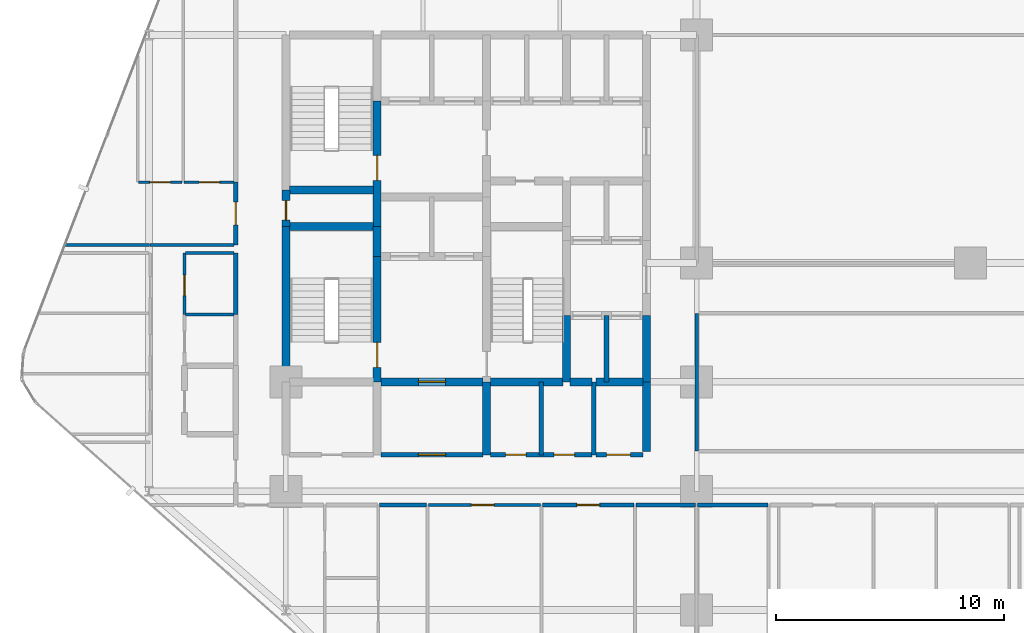
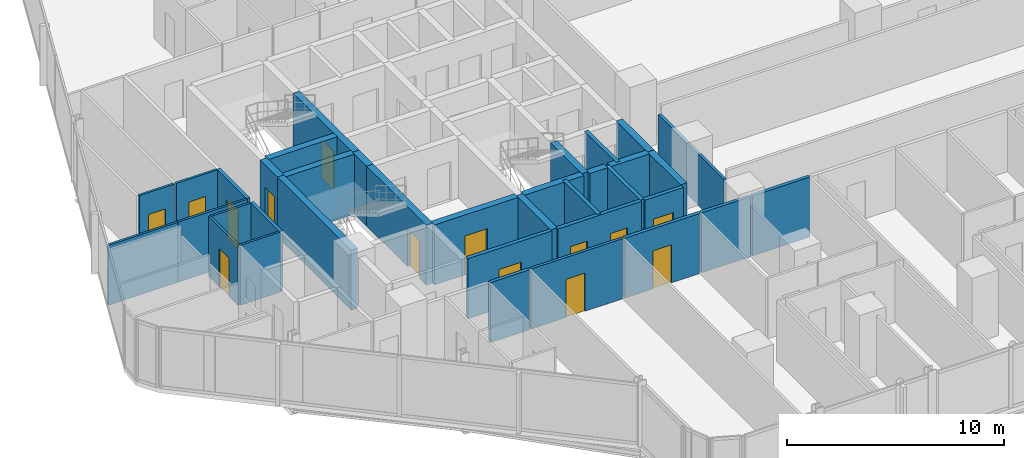
# One storey, part 27 of 34: 36 walls, 14 doors, 14 openings.
"""IFC4 building model written with IfcOpenShell, lengths in metres."""

from ifc_helpers import new_model, si_unit, direction, frame, frame_2d, origin, place, context, subcontext, project, spatial, rectangle, extrude, material, layer, layer_set, type_object, element, fill, save


model = new_model("IFC4")

# Units and contexts
model_context = context("Model", 3, precision=1e-05, world=origin(), true_north=direction((0.0, 1.0)))
body_context = subcontext(model_context, "Body", "Model", "MODEL_VIEW")
ifc_project = project(units=[si_unit("LENGTHUNIT", "METRE"), si_unit("AREAUNIT", "SQUARE_METRE"), si_unit("VOLUMEUNIT", "CUBIC_METRE"), si_unit("PLANEANGLEUNIT", "RADIAN"), si_unit("MASSUNIT", "GRAM", prefix="KILO")], contexts=[model_context])

# Site, building, storey
site_placement = place(None, origin())
site = spatial("IfcSite", under=ifc_project, at=site_placement, CompositionType="ELEMENT")
building_placement = place(site_placement, origin())
building = spatial("IfcBuilding", under=site, at=building_placement, Name="Keshet Zoharim Tower", CompositionType="ELEMENT")
storey_placement = place(building_placement, frame((0.0, 0.0, 38.800048828125)))
storey = spatial("IfcBuildingStorey", under=building, at=storey_placement, Name="L08", CompositionType="ELEMENT", Elevation=38.800048828125)

# Wall
ifc_material_1 = material(Name="Gypsum Plasterboard", Category="gypsum")
ifc_layer_1 = layer(ifc_material_1, 0.14990234375)
ifc_layer_set_1 = layer_set([ifc_layer_1], Name="Gypsum Plasterboard")
wall_type_1 = type_object("IfcWallType", Name="WL-CLIN-150", PredefinedType="STANDARD", material=ifc_layer_set_1)
wall_1_placement = place(storey_placement, frame((33.0, 19.659912109375, 0.0), z_axis=(0.0, 0.0, 1.0), x_axis=(0.0, 1.0, 0.0)))
element("IfcWall", 1, at=wall_1_placement, inside=storey, type_object=wall_type_1, Name="L08 Interior Wall 070", PredefinedType="STANDARD", context=body_context, shape_type="SweptSolid", body=[
    extrude(rectangle(XDim=6.030029296875, YDim=0.14990234375, at=frame_2d((3.01513671875, 0.0))), origin(), (0.0, 0.0, 1.0), 2.885009765625),
])

# Wall, opening, door
wall_2_placement = place(storey_placement, frame((21.2451171875, 17.300048828125, 0.0), z_axis=(0.0, 0.0, 1.0), x_axis=(1.0, 0.0, 0.0)))
wall_2 = element("IfcWall", 2, at=wall_2_placement, inside=storey, type_object=wall_type_1, Name="L08 Interior Wall 144", PredefinedType="STANDARD", context=body_context, shape_type="SweptSolid", body=[
    extrude(rectangle(XDim=4.909912109375, YDim=0.14990234375, at=frame_2d((2.455078125, 0.0))), origin(), (0.0, 0.0, 1.0), 3.385009765625),
])
opening_1_placement = place(wall_2_placement, frame((1.884033203125, 0.0, 0.0)))
opening_1 = element("IfcOpeningElement", 3, at=opening_1_placement, cuts=wall_2, Name="Opening D-F310", PredefinedType="OPENING", context=body_context, shape_type="SweptSolid", body=[
    extrude(rectangle(XDim=1.0, YDim=2.14990234375, at=frame_2d((0.5, 1.074951171875))), frame((0.0, 0.0849609375, 0.0), z_axis=(0.0, -1.0, 0.0), x_axis=(1.0, 0.0, 0.0)), (0.0, 0.0, 1.0), 0.169921875),
])
ifc_material_2 = material(Name="Hardwood Timber", Category="wood")
door_type_1 = type_object("IfcDoorType", Name="DR-FD30-100", OperationType="NOTDEFINED", PredefinedType="DOOR", material=ifc_material_2)
door_1_placement = place(opening_1_placement, origin())
door_1 = element("IfcDoor", 4, at=door_1_placement, inside=storey, type_object=door_type_1, Name="L08 Residents Co-Working Office Door", OperationType="SINGLE_SWING_RIGHT", OverallHeight=2.14990234375, OverallWidth=1.0, PredefinedType="DOOR", context=body_context, shape_type="SweptSolid", body=[
    extrude(rectangle(XDim=1.0, YDim=2.14990234375, at=frame_2d((0.5, 1.074951171875))), frame((0.0, 0.02490234375, 0.0), z_axis=(0.0, -1.0, 0.0), x_axis=(1.0, 0.0, 0.0)), (0.0, 0.0, 1.0), 0.050048828125),
])
fill(opening_1, door_1)

# Wall
ifc_material_3 = material(Name="Concrete C60/75", Category="concrete")
ifc_layer_2 = layer(ifc_material_3, 0.35009765625)
ifc_layer_set_2 = layer_set([ifc_layer_2], Name="Concrete C60/75")
wall_type_2 = type_object("IfcWallType", Name="WL-CORE-350", PredefinedType="SHEAR", material=ifc_layer_set_2)
wall_3_placement = place(storey_placement, frame((15.0, 22.699951171875, 0.0), z_axis=(0.0, 0.0, 1.0), x_axis=(0.0, 1.0, 0.0)))
element("IfcWall", 5, at=wall_3_placement, inside=storey, type_object=wall_type_2, Name="L08 Core Shear Wall 014", PredefinedType="SHEAR", context=body_context, shape_type="SweptSolid", body=[
    extrude(rectangle(XDim=6.800048828125, YDim=0.35009765625, at=frame_2d((3.39990234375, 0.0))), origin(), (0.0, 0.0, 1.0), 3.385009765625),
])

# Wall, opening, door
wall_4_placement = place(storey_placement, frame((15.0, 29.5, 0.0), z_axis=(0.0, 0.0, 1.0), x_axis=(0.0, 1.0, 0.0)))
wall_4 = element("IfcWall", 6, at=wall_4_placement, inside=storey, type_object=wall_type_2, Name="L08 Core Shear Wall 015", PredefinedType="SHEAR", context=body_context, shape_type="SweptSolid", body=[
    extrude(rectangle(XDim=1.60009765625, YDim=0.35009765625, at=frame_2d((0.800048828125, 0.0))), origin(), (0.0, 0.0, 1.0), 3.385009765625),
])
opening_2_placement = place(wall_4_placement, frame((0.287109375, 0.0, 0.0)))
opening_2 = element("IfcOpeningElement", 7, at=opening_2_placement, cuts=wall_4, Name="Opening D-RS85", PredefinedType="OPENING", context=body_context, shape_type="SweptSolid", body=[
    extrude(rectangle(XDim=0.85009765625, YDim=2.10009765625, at=frame_2d((0.425048828125, 1.050048828125))), frame((0.0, 0.18505859375, 0.0), z_axis=(0.0, -1.0, 0.0), x_axis=(1.0, 0.0, 0.0)), (0.0, 0.0, 1.0), 0.3701171875),
])
door_type_2 = type_object("IfcDoorType", Name="DR-RIS-085", OperationType="NOTDEFINED", PredefinedType="DOOR", material=ifc_material_2)
door_2_placement = place(opening_2_placement, origin())
door_2 = element("IfcDoor", 8, at=door_2_placement, inside=storey, type_object=door_type_2, Name="L08 Electrical Riser Access Cupboard Door", OperationType="SINGLE_SWING_RIGHT", OverallHeight=2.10009765625, OverallWidth=0.85009765625, PredefinedType="DOOR", context=body_context, shape_type="SweptSolid", body=[
    extrude(rectangle(XDim=0.85009765625, YDim=2.10009765625, at=frame_2d((0.425048828125, 1.050048828125))), frame((0.0, 0.02490234375, 0.0), z_axis=(0.0, -1.0, 0.0), x_axis=(1.0, 0.0, 0.0)), (0.0, 0.0, 1.0), 0.050048828125),
])
fill(opening_2, door_2)

wall_5_placement = place(storey_placement, frame((19.0, 22.699951171875, 0.0), z_axis=(0.0, 0.0, 1.0), x_axis=(0.0, 1.0, 0.0)))
wall_5 = element("IfcWall", 9, at=wall_5_placement, inside=storey, type_object=wall_type_2, Name="L08 Core Shear Wall 022", PredefinedType="SHEAR", context=body_context, shape_type="SweptSolid", body=[
    extrude(rectangle(XDim=5.5, YDim=0.35009765625, at=frame_2d((2.75, 0.0))), origin(), (0.0, 0.0, 1.0), 3.385009765625),
])
opening_3_placement = place(wall_5_placement, frame((0.631103515625, 0.0, 0.0)))
opening_3 = element("IfcOpeningElement", 10, at=opening_3_placement, cuts=wall_5, Name="Opening D-F611", PredefinedType="OPENING", context=body_context, shape_type="SweptSolid", body=[
    extrude(rectangle(XDim=1.10009765625, YDim=2.14990234375, at=frame_2d((0.550048828125, 1.074951171875))), frame((0.0, 0.18505859375, 0.0), z_axis=(0.0, -1.0, 0.0), x_axis=(1.0, 0.0, 0.0)), (0.0, 0.0, 1.0), 0.3701171875),
])
door_type_3 = type_object("IfcDoorType", Name="DR-FD60-110", OperationType="NOTDEFINED", PredefinedType="DOOR", material=ifc_material_2)
door_3_placement = place(opening_3_placement, origin())
door_3 = element("IfcDoor", 11, at=door_3_placement, inside=storey, type_object=door_type_3, Name="L08 Exit Stair ST-01 Fire Door", OperationType="SINGLE_SWING_LEFT", OverallHeight=2.14990234375, OverallWidth=1.10009765625, PredefinedType="DOOR", context=body_context, shape_type="SweptSolid", body=[
    extrude(rectangle(XDim=1.10009765625, YDim=2.14990234375, at=frame_2d((0.550048828125, 1.074951171875))), frame((0.0, 0.02490234375, 0.0), z_axis=(0.0, -1.0, 0.0), x_axis=(1.0, 0.0, 0.0)), (0.0, 0.0, 1.0), 0.050048828125),
])
fill(opening_3, door_3)

# Wall
wall_6_placement = place(storey_placement, frame((19.0, 28.199951171875, 0.0), z_axis=(0.0, 0.0, 1.0), x_axis=(0.0, 1.0, 0.0)))
element("IfcWall", 12, at=wall_6_placement, inside=storey, type_object=wall_type_2, Name="L08 Core Shear Wall 023", PredefinedType="SHEAR", context=body_context, shape_type="SweptSolid", body=[
    extrude(rectangle(XDim=1.300048828125, YDim=0.35009765625, at=frame_2d((0.64990234375, 0.0))), origin(), (0.0, 0.0, 1.0), 3.385009765625),
])

# Wall, opening, door
wall_7_placement = place(storey_placement, frame((19.0, 29.5, 0.0), z_axis=(0.0, 0.0, 1.0), x_axis=(0.0, 1.0, 0.0)))
wall_7 = element("IfcWall", 13, at=wall_7_placement, inside=storey, type_object=wall_type_2, Name="L08 Core Shear Wall 024", PredefinedType="SHEAR", context=body_context, shape_type="SweptSolid", body=[
    extrude(rectangle(XDim=5.5, YDim=0.35009765625, at=frame_2d((2.75, 0.0))), origin(), (0.0, 0.0, 1.0), 3.385009765625),
])
opening_4_placement = place(wall_7_placement, frame((2.02490234375, 0.0, 0.0)))
opening_4 = element("IfcOpeningElement", 14, at=opening_4_placement, cuts=wall_7, Name="Opening D-F611", PredefinedType="OPENING", context=body_context, shape_type="SweptSolid", body=[
    extrude(rectangle(XDim=1.10009765625, YDim=2.14990234375, at=frame_2d((0.550048828125, 1.074951171875))), frame((0.0, 0.18505859375, 0.0), z_axis=(0.0, -1.0, 0.0), x_axis=(1.0, 0.0, 0.0)), (0.0, 0.0, 1.0), 0.3701171875),
])
door_4_placement = place(opening_4_placement, origin())
door_4 = element("IfcDoor", 15, at=door_4_placement, inside=storey, type_object=door_type_3, Name="L08 Exit Stair ST-02 Fire Door", OperationType="SINGLE_SWING_RIGHT", OverallHeight=2.14990234375, OverallWidth=1.10009765625, PredefinedType="DOOR", context=body_context, shape_type="SweptSolid", body=[
    extrude(rectangle(XDim=1.10009765625, YDim=2.14990234375, at=frame_2d((0.550048828125, 1.074951171875))), frame((0.0, 0.02490234375, 0.0), z_axis=(0.0, -1.0, 0.0), x_axis=(1.0, 0.0, 0.0)), (0.0, 0.0, 1.0), 0.050048828125),
])
fill(opening_4, door_4)

# Walls
wall_8_placement = place(storey_placement, frame((23.800048828125, 19.5, 0.0), z_axis=(0.0, 0.0, 1.0), x_axis=(0.0, 1.0, 0.0)))
element("IfcWall", 16, at=wall_8_placement, inside=storey, type_object=wall_type_2, Name="L08 Core Shear Wall 035", PredefinedType="SHEAR", context=body_context, shape_type="SweptSolid", body=[
    extrude(rectangle(XDim=3.199951171875, YDim=0.35009765625, at=frame_2d((1.60009765625, 0.0))), origin(), (0.0, 0.0, 1.0), 3.385009765625),
])
wall_9_placement = place(storey_placement, frame((27.300048828125, 22.699951171875, 0.0), z_axis=(0.0, 0.0, 1.0), x_axis=(0.0, 1.0, 0.0)))
element("IfcWall", 17, at=wall_9_placement, inside=storey, type_object=wall_type_2, Name="L08 Core Shear Wall 046", PredefinedType="SHEAR", context=body_context, shape_type="SweptSolid", body=[
    extrude(rectangle(XDim=2.900146484375, YDim=0.35009765625, at=frame_2d((1.4501953125, 0.0))), origin(), (0.0, 0.0, 1.0), 3.385009765625),
])
wall_10_placement = place(storey_placement, frame((30.800048828125, 19.64990234375, 0.0), z_axis=(0.0, 0.0, 1.0), x_axis=(0.0, 1.0, 0.0)))
element("IfcWall", 18, at=wall_10_placement, inside=storey, type_object=wall_type_2, Name="L08 Core Shear Wall 061", PredefinedType="SHEAR", context=body_context, shape_type="SweptSolid", body=[
    extrude(rectangle(XDim=3.050048828125, YDim=0.35009765625, at=frame_2d((1.52490234375, 0.0))), origin(), (0.0, 0.0, 1.0), 3.385009765625),
])
wall_11_placement = place(storey_placement, frame((30.800048828125, 22.699951171875, 0.0), z_axis=(0.0, 0.0, 1.0), x_axis=(0.0, 1.0, 0.0)))
element("IfcWall", 19, at=wall_11_placement, inside=storey, type_object=wall_type_2, Name="L08 Core Shear Wall 062", PredefinedType="SHEAR", context=body_context, shape_type="SweptSolid", body=[
    extrude(rectangle(XDim=2.900146484375, YDim=0.35009765625, at=frame_2d((1.4501953125, 0.0))), origin(), (0.0, 0.0, 1.0), 3.385009765625),
])

# Wall, opening, door
wall_12_placement = place(storey_placement, frame((19.159912109375, 22.699951171875, 0.0), z_axis=(0.0, 0.0, 1.0), x_axis=(1.0, 0.0, 0.0)))
wall_12 = element("IfcWall", 20, at=wall_12_placement, inside=storey, type_object=wall_type_2, Name="L08 Core Shear Wall 168", PredefinedType="SHEAR", context=body_context, shape_type="SweptSolid", body=[
    extrude(rectangle(XDim=4.47998046875, YDim=0.35009765625, at=frame_2d((2.239990234375, 0.0))), origin(), (0.0, 0.0, 1.0), 3.385009765625),
])
opening_5_placement = place(wall_12_placement, frame((1.639892578125, 0.0, 0.0)))
opening_5 = element("IfcOpeningElement", 21, at=opening_5_placement, cuts=wall_12, Name="Opening D-F612", PredefinedType="OPENING", context=body_context, shape_type="SweptSolid", body=[
    extrude(rectangle(XDim=1.199951171875, YDim=2.199951171875, at=frame_2d((0.60009765625, 1.10009765625))), frame((0.0, 0.18505859375, 0.0), z_axis=(0.0, -1.0, 0.0), x_axis=(1.0, 0.0, 0.0)), (0.0, 0.0, 1.0), 0.3701171875),
])
door_type_4 = type_object("IfcDoorType", Name="DR-FD60-120", OperationType="NOTDEFINED", PredefinedType="DOOR", material=ifc_material_2)
door_5_placement = place(opening_5_placement, origin())
door_5 = element("IfcDoor", 22, at=door_5_placement, inside=storey, type_object=door_type_4, Name="L08 South Core Lobby Fire Door", OperationType="SINGLE_SWING_LEFT", OverallHeight=2.199951171875, OverallWidth=1.199951171875, PredefinedType="DOOR", context=body_context, shape_type="SweptSolid", body=[
    extrude(rectangle(XDim=1.199951171875, YDim=2.199951171875, at=frame_2d((0.60009765625, 1.10009765625))), frame((0.0, 0.02490234375, 0.0), z_axis=(0.0, -1.0, 0.0), x_axis=(1.0, 0.0, 0.0)), (0.0, 0.0, 1.0), 0.050048828125),
])
fill(opening_5, door_5)

# Walls
wall_13_placement = place(storey_placement, frame((23.9599609375, 22.699951171875, 0.0), z_axis=(0.0, 0.0, 1.0), x_axis=(1.0, 0.0, 0.0)))
element("IfcWall", 23, at=wall_13_placement, inside=storey, type_object=wall_type_2, Name="L08 Core Shear Wall 169", PredefinedType="SHEAR", context=body_context, shape_type="SweptSolid", body=[
    extrude(rectangle(XDim=3.179931640625, YDim=0.35009765625, at=frame_2d((1.58984375, 0.0))), origin(), (0.0, 0.0, 1.0), 3.385009765625),
])
wall_14_placement = place(storey_placement, frame((27.4599609375, 22.699951171875, 0.0), z_axis=(0.0, 0.0, 1.0), x_axis=(1.0, 0.0, 0.0)))
element("IfcWall", 24, at=wall_14_placement, inside=storey, type_object=wall_type_2, Name="L08 Core Shear Wall 170", PredefinedType="SHEAR", context=body_context, shape_type="SweptSolid", body=[
    extrude(rectangle(XDim=0.955078125, YDim=0.35009765625, at=frame_2d((0.4775390625, 0.0))), origin(), (0.0, 0.0, 1.0), 3.385009765625),
])
wall_15_placement = place(storey_placement, frame((28.5849609375, 22.699951171875, 0.0), z_axis=(0.0, 0.0, 1.0), x_axis=(1.0, 0.0, 0.0)))
element("IfcWall", 25, at=wall_15_placement, inside=storey, type_object=wall_type_2, Name="L08 Core Shear Wall 171", PredefinedType="SHEAR", context=body_context, shape_type="SweptSolid", body=[
    extrude(rectangle(XDim=2.054931640625, YDim=0.35009765625, at=frame_2d((1.02734375, 0.0))), origin(), (0.0, 0.0, 1.0), 3.385009765625),
])
for number, where, z_axis, x_axis, name in (
    (26, (15.159912109375, 29.5, 0.0), (0.0, 0.0, 1.0), (1.0, 0.0, 0.0), "L08 Core Shear Wall 185"),
    (27, (15.159912109375, 31.10009765625, 0.0), (0.0, 0.0, 1.0), (1.0, 0.0, 0.0), "L08 Core Shear Wall 188"),
):
    element("IfcWall", number, at=place(storey_placement, frame(where, z_axis=z_axis, x_axis=x_axis)), inside=storey, type_object=wall_type_2, Name=name, PredefinedType="SHEAR", context=body_context, shape_type="SweptSolid", body=[
        extrude(rectangle(XDim=3.68017578125, YDim=0.35009765625, at=frame_2d((1.840087890625, 0.0))), origin(), (0.0, 0.0, 1.0), 3.385009765625),
    ])
ifc_layer_3 = layer(ifc_material_1, 0.179931640625)
ifc_layer_set_3 = layer_set([ifc_layer_3], Name="Gypsum Plasterboard")
wall_type_3 = type_object("IfcWallType", Name="WL-CORR-180", PredefinedType="STANDARD", material=ifc_layer_set_3)
wall_16_placement = place(storey_placement, frame((12.800048828125, 25.64697265625, 0.0), z_axis=(0.0, 0.0, 1.0), x_axis=(0.0, 1.0, 0.0)))
element("IfcWall", 28, at=wall_16_placement, inside=storey, type_object=wall_type_3, Name="L08 Interior Wall 010", PredefinedType="STANDARD", context=body_context, shape_type="SweptSolid", body=[
    extrude(rectangle(XDim=2.703125, YDim=0.179931640625, at=frame_2d((1.3515625, 0.0))), origin(), (0.0, 0.0, 1.0), 3.385009765625),
])

# Wall, opening, door
wall_17_placement = place(storey_placement, frame((12.800048828125, 28.699951171875, 0.0), z_axis=(0.0, 0.0, 1.0), x_axis=(0.0, 1.0, 0.0)))
wall_17 = element("IfcWall", 29, at=wall_17_placement, inside=storey, type_object=wall_type_3, Name="L08 Interior Wall 011", PredefinedType="STANDARD", context=body_context, shape_type="SweptSolid", body=[
    extrude(rectangle(XDim=2.75, YDim=0.179931640625, at=frame_2d((1.375, 0.0))), origin(), (0.0, 0.0, 1.0), 3.385009765625),
])
opening_6_placement = place(wall_17_placement, frame((0.875, 0.0, 0.0)))
opening_6 = element("IfcOpeningElement", 30, at=opening_6_placement, cuts=wall_17, Name="Opening D-F310", PredefinedType="OPENING", context=body_context, shape_type="SweptSolid", body=[
    extrude(rectangle(XDim=1.0, YDim=2.14990234375, at=frame_2d((0.5, 1.074951171875))), frame((0.0, 0.10009765625, 0.0), z_axis=(0.0, -1.0, 0.0), x_axis=(1.0, 0.0, 0.0)), (0.0, 0.0, 1.0), 0.199951171875),
])
door_6_placement = place(opening_6_placement, origin())
door_6 = element("IfcDoor", 31, at=door_6_placement, inside=storey, type_object=door_type_1, Name="Apartment 0811 Entrance Door", OperationType="SINGLE_SWING_LEFT", OverallHeight=2.14990234375, OverallWidth=1.0, PredefinedType="DOOR", context=body_context, shape_type="SweptSolid", body=[
    extrude(rectangle(XDim=1.0, YDim=2.14990234375, at=frame_2d((0.5, 1.074951171875))), frame((0.0, 0.02490234375, 0.0), z_axis=(0.0, -1.0, 0.0), x_axis=(1.0, 0.0, 0.0)), (0.0, 0.0, 1.0), 0.050048828125),
])
fill(opening_6, door_6)

# Wall
wall_18_placement = place(storey_placement, frame((19.094970703125, 17.300048828125, 0.0), z_axis=(0.0, 0.0, 1.0), x_axis=(1.0, 0.0, 0.0)))
element("IfcWall", 32, at=wall_18_placement, inside=storey, type_object=wall_type_3, Name="L08 Interior Wall 143", PredefinedType="STANDARD", context=body_context, shape_type="SweptSolid", body=[
    extrude(rectangle(XDim=2.06005859375, YDim=0.179931640625, at=frame_2d((1.030029296875, 0.0))), origin(), (0.0, 0.0, 1.0), 3.385009765625),
])

# Wall, opening, door
wall_19_placement = place(storey_placement, frame((26.2451171875, 17.300048828125, 0.0), z_axis=(0.0, 0.0, 1.0), x_axis=(1.0, 0.0, 0.0)))
wall_19 = element("IfcWall", 33, at=wall_19_placement, inside=storey, type_object=wall_type_3, Name="L08 Interior Wall 145", PredefinedType="STANDARD", context=body_context, shape_type="SweptSolid", body=[
    extrude(rectangle(XDim=4.009765625, YDim=0.179931640625, at=frame_2d((2.0048828125, 0.0))), origin(), (0.0, 0.0, 1.0), 3.385009765625),
])
opening_7_placement = place(wall_19_placement, frame((1.5048828125, 0.0, 0.0)))
opening_7 = element("IfcOpeningElement", 34, at=opening_7_placement, cuts=wall_19, Name="Opening D-F310", PredefinedType="OPENING", context=body_context, shape_type="SweptSolid", body=[
    extrude(rectangle(XDim=1.0, YDim=2.14990234375, at=frame_2d((0.5, 1.074951171875))), frame((0.0, 0.10009765625, 0.0), z_axis=(0.0, -1.0, 0.0), x_axis=(1.0, 0.0, 0.0)), (0.0, 0.0, 1.0), 0.199951171875),
])
door_7_placement = place(opening_7_placement, origin())
door_7 = element("IfcDoor", 35, at=door_7_placement, inside=storey, type_object=door_type_1, Name="Apartment 0802 Entrance Door", OperationType="SINGLE_SWING_LEFT", OverallHeight=2.14990234375, OverallWidth=1.0, PredefinedType="DOOR", context=body_context, shape_type="SweptSolid", body=[
    extrude(rectangle(XDim=1.0, YDim=2.14990234375, at=frame_2d((0.5, 1.074951171875))), frame((0.0, 0.02490234375, 0.0), z_axis=(0.0, -1.0, 0.0), x_axis=(1.0, 0.0, 0.0)), (0.0, 0.0, 1.0), 0.050048828125),
])
fill(opening_7, door_7)

# Walls
wall_20_placement = place(storey_placement, frame((30.344970703125, 17.300048828125, 0.0), z_axis=(0.0, 0.0, 1.0), x_axis=(1.0, 0.0, 0.0)))
element("IfcWall", 36, at=wall_20_placement, inside=storey, type_object=wall_type_3, Name="L08 Interior Wall 146", PredefinedType="STANDARD", context=body_context, shape_type="SweptSolid", body=[
    extrude(rectangle(XDim=2.610107421875, YDim=0.179931640625, at=frame_2d((1.30517578125, 0.0))), origin(), (0.0, 0.0, 1.0), 3.385009765625),
])
wall_21_placement = place(storey_placement, frame((33.044921875, 17.300048828125, 0.0), z_axis=(0.0, 0.0, 1.0), x_axis=(1.0, 0.0, 0.0)))
element("IfcWall", 37, at=wall_21_placement, inside=storey, type_object=wall_type_3, Name="L08 Interior Wall 147", PredefinedType="STANDARD", context=body_context, shape_type="SweptSolid", body=[
    extrude(rectangle(XDim=3.080078125, YDim=0.179931640625, at=frame_2d((1.5400390625, 0.0))), origin(), (0.0, 0.0, 1.0), 3.385009765625),
])
ifc_material_4 = material(Name="Concrete C50/60", Category="concrete")
ifc_layer_4 = layer(ifc_material_4, 0.199951171875)
ifc_layer_set_4 = layer_set([ifc_layer_4], Name="Concrete C50/60")
wall_type_4 = type_object("IfcWallType", Name="WL-FIRE-200", PredefinedType="STANDARD", material=ifc_layer_set_4)
for number, where, z_axis, x_axis, name in (
    (38, (26.199951171875, 19.5, 0.0), (0.0, 0.0, 1.0), (0.0, 1.0, 0.0), "L08 Interior Wall 045"),
    (39, (28.5, 19.5, 0.0), (0.0, 0.0, 1.0), (0.0, 1.0, 0.0), "L08 Interior Wall 054"),
):
    element("IfcWall", number, at=place(storey_placement, frame(where, z_axis=z_axis, x_axis=x_axis)), inside=storey, type_object=wall_type_4, Name=name, PredefinedType="STANDARD", context=body_context, shape_type="SweptSolid", body=[
        extrude(rectangle(XDim=3.199951171875, YDim=0.199951171875, at=frame_2d((1.60009765625, 0.0))), origin(), (0.0, 0.0, 1.0), 3.385009765625),
    ])
wall_22_placement = place(storey_placement, frame((29.050048828125, 22.699951171875, 0.0), z_axis=(0.0, 0.0, 1.0), x_axis=(0.0, 1.0, 0.0)))
element("IfcWall", 40, at=wall_22_placement, inside=storey, type_object=wall_type_4, Name="L08 Interior Wall 055", PredefinedType="STANDARD", context=body_context, shape_type="SweptSolid", body=[
    extrude(rectangle(XDim=2.900146484375, YDim=0.199951171875, at=frame_2d((1.4501953125, 0.0))), origin(), (0.0, 0.0, 1.0), 3.385009765625),
])

# Wall, opening, door
wall_23_placement = place(storey_placement, frame((19.159912109375, 19.5, 0.0), z_axis=(0.0, 0.0, 1.0), x_axis=(1.0, 0.0, 0.0)))
wall_23 = element("IfcWall", 41, at=wall_23_placement, inside=storey, type_object=wall_type_4, Name="L08 Interior Wall 160", PredefinedType="STANDARD", context=body_context, shape_type="SweptSolid", body=[
    extrude(rectangle(XDim=4.47998046875, YDim=0.199951171875, at=frame_2d((2.239990234375, 0.0))), origin(), (0.0, 0.0, 1.0), 3.385009765625),
])
opening_8_placement = place(wall_23_placement, frame((1.639892578125, 0.0, 0.0)))
opening_8 = element("IfcOpeningElement", 42, at=opening_8_placement, cuts=wall_23, Name="Opening D-F612", PredefinedType="OPENING", context=body_context, shape_type="SweptSolid", body=[
    extrude(rectangle(XDim=1.199951171875, YDim=2.199951171875, at=frame_2d((0.60009765625, 1.10009765625))), frame((0.0, 0.10986328125, 0.0), z_axis=(0.0, -1.0, 0.0), x_axis=(1.0, 0.0, 0.0)), (0.0, 0.0, 1.0), 0.219970703125),
])
door_8_placement = place(opening_8_placement, origin())
door_8 = element("IfcDoor", 43, at=door_8_placement, inside=storey, type_object=door_type_4, Name="L08 South Vestibule Corridor Door", OperationType="SINGLE_SWING_RIGHT", OverallHeight=2.199951171875, OverallWidth=1.199951171875, PredefinedType="DOOR", context=body_context, shape_type="SweptSolid", body=[
    extrude(rectangle(XDim=1.199951171875, YDim=2.199951171875, at=frame_2d((0.60009765625, 1.10009765625))), frame((0.0, 0.02490234375, 0.0), z_axis=(0.0, -1.0, 0.0), x_axis=(1.0, 0.0, 0.0)), (0.0, 0.0, 1.0), 0.050048828125),
])
fill(opening_8, door_8)

# Wall, openings, doors
wall_24_placement = place(storey_placement, frame((23.9599609375, 19.5, 0.0), z_axis=(0.0, 0.0, 1.0), x_axis=(1.0, 0.0, 0.0)))
wall_24 = element("IfcWall", 44, at=wall_24_placement, inside=storey, type_object=wall_type_4, Name="L08 Interior Wall 161", PredefinedType="STANDARD", context=body_context, shape_type="SweptSolid", body=[
    extrude(rectangle(XDim=4.455078125, YDim=0.199951171875, at=frame_2d((2.2275390625, 0.0))), origin(), (0.0, 0.0, 1.0), 3.385009765625),
])
opening_9_placement = place(wall_24_placement, frame((0.6650390625, 0.0, 0.0)))
opening_9 = element("IfcOpeningElement", 45, at=opening_9_placement, cuts=wall_24, Name="Opening D-F690", PredefinedType="OPENING", context=body_context, shape_type="SweptSolid", body=[
    extrude(rectangle(XDim=0.89990234375, YDim=2.14990234375, at=frame_2d((0.449951171875, 1.074951171875))), frame((0.0, 0.10986328125, 0.0), z_axis=(0.0, -1.0, 0.0), x_axis=(1.0, 0.0, 0.0)), (0.0, 0.0, 1.0), 0.219970703125),
])
opening_10_placement = place(wall_24_placement, frame((2.791015625, 0.0, 0.0)))
opening_10 = element("IfcOpeningElement", 46, at=opening_10_placement, cuts=wall_24, Name="Opening D-F690", PredefinedType="OPENING", context=body_context, shape_type="SweptSolid", body=[
    extrude(rectangle(XDim=0.89990234375, YDim=2.14990234375, at=frame_2d((0.449951171875, 1.074951171875))), frame((0.0, 0.10986328125, 0.0), z_axis=(0.0, -1.0, 0.0), x_axis=(1.0, 0.0, 0.0)), (0.0, 0.0, 1.0), 0.219970703125),
])
door_type_5 = type_object("IfcDoorType", Name="DR-FD60-090", OperationType="NOTDEFINED", PredefinedType="DOOR", material=ifc_material_2)
door_9_placement = place(opening_9_placement, origin())
door_9 = element("IfcDoor", 47, at=door_9_placement, inside=storey, type_object=door_type_5, Name="L08 Switchgear Room Door", OperationType="SINGLE_SWING_LEFT", OverallHeight=2.14990234375, OverallWidth=0.89990234375, PredefinedType="DOOR", context=body_context, shape_type="SweptSolid", body=[
    extrude(rectangle(XDim=0.89990234375, YDim=2.14990234375, at=frame_2d((0.449951171875, 1.074951171875))), frame((0.0, 0.02490234375, 0.0), z_axis=(0.0, -1.0, 0.0), x_axis=(1.0, 0.0, 0.0)), (0.0, 0.0, 1.0), 0.050048828125),
])
fill(opening_9, door_9)
door_10_placement = place(opening_10_placement, origin())
door_10 = element("IfcDoor", 48, at=door_10_placement, inside=storey, type_object=door_type_5, Name="L08 Telecom Room Door", OperationType="SINGLE_SWING_RIGHT", OverallHeight=2.14990234375, OverallWidth=0.89990234375, PredefinedType="DOOR", context=body_context, shape_type="SweptSolid", body=[
    extrude(rectangle(XDim=0.89990234375, YDim=2.14990234375, at=frame_2d((0.449951171875, 1.074951171875))), frame((0.0, 0.02490234375, 0.0), z_axis=(0.0, -1.0, 0.0), x_axis=(1.0, 0.0, 0.0)), (0.0, 0.0, 1.0), 0.050048828125),
])
fill(opening_10, door_10)

# Wall, opening, door
wall_25_placement = place(storey_placement, frame((28.5849609375, 19.5, 0.0), z_axis=(0.0, 0.0, 1.0), x_axis=(1.0, 0.0, 0.0)))
wall_25 = element("IfcWall", 49, at=wall_25_placement, inside=storey, type_object=wall_type_4, Name="L08 Interior Wall 162", PredefinedType="STANDARD", context=body_context, shape_type="SweptSolid", body=[
    extrude(rectangle(XDim=2.054931640625, YDim=0.199951171875, at=frame_2d((1.02734375, 0.0))), origin(), (0.0, 0.0, 1.0), 3.385009765625),
])
opening_11_placement = place(wall_25_placement, frame((0.466064453125, 0.0, 0.0)))
opening_11 = element("IfcOpeningElement", 50, at=opening_11_placement, cuts=wall_25, Name="Opening D-AC10", PredefinedType="OPENING", context=body_context, shape_type="SweptSolid", body=[
    extrude(rectangle(XDim=1.050048828125, YDim=2.14990234375, at=frame_2d((0.52490234375, 1.074951171875))), frame((0.0, 0.10986328125, 0.0), z_axis=(0.0, -1.0, 0.0), x_axis=(1.0, 0.0, 0.0)), (0.0, 0.0, 1.0), 0.219970703125),
])
door_type_6 = type_object("IfcDoorType", Name="DR-ACC-105", OperationType="NOTDEFINED", PredefinedType="DOOR", material=ifc_material_2)
door_11_placement = place(opening_11_placement, origin())
door_11 = element("IfcDoor", 51, at=door_11_placement, inside=storey, type_object=door_type_6, Name="L08 Accessible WC Door", OperationType="SINGLE_SWING_LEFT", OverallHeight=2.14990234375, OverallWidth=1.050048828125, PredefinedType="DOOR", context=body_context, shape_type="SweptSolid", body=[
    extrude(rectangle(XDim=1.050048828125, YDim=2.14990234375, at=frame_2d((0.52490234375, 1.074951171875))), frame((0.0, 0.02490234375, 0.0), z_axis=(0.0, -1.0, 0.0), x_axis=(1.0, 0.0, 0.0)), (0.0, 0.0, 1.0), 0.050048828125),
])
fill(opening_11, door_11)

ifc_layer_5 = layer(ifc_material_1, 0.1201171875)
ifc_layer_set_5 = layer_set([ifc_layer_5], Name="Gypsum Plasterboard")
wall_type_5 = type_object("IfcWallType", Name="WL-PART-120", PredefinedType="PARTITIONING", material=ifc_layer_set_5)
wall_26_placement = place(storey_placement, frame((10.550048828125, 25.64697265625, 0.0), z_axis=(0.0, 0.0, 1.0), x_axis=(0.0, 1.0, 0.0)))
wall_26 = element("IfcWall", 52, at=wall_26_placement, inside=storey, type_object=wall_type_5, Name="L08 Interior Wall 006", PredefinedType="PARTITIONING", context=body_context, shape_type="SweptSolid", body=[
    extrude(rectangle(XDim=2.703125, YDim=0.1201171875, at=frame_2d((1.3515625, 0.0))), origin(), (0.0, 0.0, 1.0), 3.385009765625),
])
opening_12_placement = place(wall_26_placement, frame((0.830078125, 0.0, 0.0)))
opening_12 = element("IfcOpeningElement", 53, at=opening_12_placement, cuts=wall_26, Name="Opening D-IN90", PredefinedType="OPENING", context=body_context, shape_type="SweptSolid", body=[
    extrude(rectangle(XDim=0.89990234375, YDim=2.14990234375, at=frame_2d((0.449951171875, 1.074951171875))), frame((0.0, 0.070068359375, 0.0), z_axis=(0.0, -1.0, 0.0), x_axis=(1.0, 0.0, 0.0)), (0.0, 0.0, 1.0), 0.14013671875),
])
door_type_7 = type_object("IfcDoorType", Name="DR-INT-090", OperationType="NOTDEFINED", PredefinedType="DOOR", material=ifc_material_2)
door_12_placement = place(opening_12_placement, origin())
door_12 = element("IfcDoor", 54, at=door_12_placement, inside=storey, type_object=door_type_7, Name="Apartment 0810 Kitchen Door", OperationType="SINGLE_SWING_LEFT", OverallHeight=2.14990234375, OverallWidth=0.89990234375, PredefinedType="DOOR", context=body_context, shape_type="SweptSolid", body=[
    extrude(rectangle(XDim=0.89990234375, YDim=2.14990234375, at=frame_2d((0.449951171875, 1.074951171875))), frame((0.0, 0.02490234375, 0.0), z_axis=(0.0, -1.0, 0.0), x_axis=(1.0, 0.0, 0.0)), (0.0, 0.0, 1.0), 0.050048828125),
])
fill(opening_12, door_12)

# Walls
wall_27_placement = place(storey_placement, frame((10.594970703125, 28.35009765625, 0.0), z_axis=(0.0, 0.0, 1.0), x_axis=(1.0, 0.0, 0.0)))
element("IfcWall", 55, at=wall_27_placement, inside=storey, type_object=wall_type_5, Name="L08 Interior Wall 181", PredefinedType="PARTITIONING", context=body_context, shape_type="SweptSolid", body=[
    extrude(rectangle(XDim=2.130126953125, YDim=0.1201171875, at=frame_2d((1.06494140625, 0.0))), origin(), (0.0, 0.0, 1.0), 3.385009765625),
])
wall_28_placement = place(storey_placement, frame((5.31689453125, 28.699951171875, 0.0), z_axis=(0.0, 0.0, 1.0), x_axis=(1.0, 0.0, 0.0)))
element("IfcWall", 56, at=wall_28_placement, inside=storey, type_object=wall_type_5, Name="L08 Interior Wall 182", PredefinedType="PARTITIONING", context=body_context, shape_type="SweptSolid", body=[
    extrude(rectangle(XDim=3.713134765625, YDim=0.1201171875, at=frame_2d((1.8564453125, 0.0))), origin(), (0.0, 0.0, 1.0), 3.385009765625),
])
wall_29_placement = place(storey_placement, frame((9.030029296875, 28.699951171875, 0.0), z_axis=(0.0, 0.0, 1.0), x_axis=(1.0, 0.0, 0.0)))
element("IfcWall", 57, at=wall_29_placement, inside=storey, type_object=wall_type_5, Name="L08 Interior Wall 183", PredefinedType="PARTITIONING", context=body_context, shape_type="SweptSolid", body=[
    extrude(rectangle(XDim=3.695068359375, YDim=0.1201171875, at=frame_2d((1.84765625, 0.0))), origin(), (0.0, 0.0, 1.0), 3.385009765625),
])

# Wall, opening, door
wall_30_placement = place(storey_placement, frame((8.544921875, 31.449951171875, 0.0), z_axis=(0.0, 0.0, 1.0), x_axis=(1.0, 0.0, 0.0)))
wall_30 = element("IfcWall", 58, at=wall_30_placement, inside=storey, type_object=wall_type_5, Name="L08 Interior Wall 189", PredefinedType="PARTITIONING", context=body_context, shape_type="SweptSolid", body=[
    extrude(rectangle(XDim=1.88818359375, YDim=0.1201171875, at=frame_2d((0.944091796875, 0.0))), origin(), (0.0, 0.0, 1.0), 3.385009765625),
])
opening_13_placement = place(wall_30_placement, frame((0.493896484375, 0.0, 0.0)))
opening_13 = element("IfcOpeningElement", 59, at=opening_13_placement, cuts=wall_30, Name="Opening D-IN90", PredefinedType="OPENING", context=body_context, shape_type="SweptSolid", body=[
    extrude(rectangle(XDim=0.89990234375, YDim=2.14990234375, at=frame_2d((0.449951171875, 1.074951171875))), frame((0.0, 0.070068359375, 0.0), z_axis=(0.0, -1.0, 0.0), x_axis=(1.0, 0.0, 0.0)), (0.0, 0.0, 1.0), 0.14013671875),
])
door_13_placement = place(opening_13_placement, origin())
door_13 = element("IfcDoor", 60, at=door_13_placement, inside=storey, type_object=door_type_7, Name="Apartment 0811 Kitchen Door", OperationType="SINGLE_SWING_LEFT", OverallHeight=2.14990234375, OverallWidth=0.89990234375, PredefinedType="DOOR", context=body_context, shape_type="SweptSolid", body=[
    extrude(rectangle(XDim=0.89990234375, YDim=2.14990234375, at=frame_2d((0.449951171875, 1.074951171875))), frame((0.0, 0.02490234375, 0.0), z_axis=(0.0, -1.0, 0.0), x_axis=(1.0, 0.0, 0.0)), (0.0, 0.0, 1.0), 0.050048828125),
])
fill(opening_13, door_13)

# Wall
ifc_layer_6 = layer(ifc_material_1, 0.1201171875)
ifc_layer_set_6 = layer_set([ifc_layer_6], Name="Gypsum Plasterboard")
wall_type_6 = type_object("IfcWallType", Name="WL-WET-120", PredefinedType="PARTITIONING", material=ifc_layer_set_6)
wall_31_placement = place(storey_placement, frame((10.594970703125, 25.64990234375, 0.0), z_axis=(0.0, 0.0, 1.0), x_axis=(1.0, 0.0, 0.0)))
element("IfcWall", 61, at=wall_31_placement, inside=storey, type_object=wall_type_6, Name="L08 Interior Wall 175", PredefinedType="PARTITIONING", context=body_context, shape_type="SweptSolid", body=[
    extrude(rectangle(XDim=2.130126953125, YDim=0.1201171875, at=frame_2d((1.06494140625, 0.0))), origin(), (0.0, 0.0, 1.0), 3.385009765625),
])

# Wall, opening, door
wall_32_placement = place(storey_placement, frame((10.52294921875, 31.449951171875, 0.0), z_axis=(0.0, 0.0, 1.0), x_axis=(1.0, 0.0, 0.0)))
wall_32 = element("IfcWall", 62, at=wall_32_placement, inside=storey, type_object=wall_type_6, Name="L08 Interior Wall 190", PredefinedType="PARTITIONING", context=body_context, shape_type="SweptSolid", body=[
    extrude(rectangle(XDim=2.2021484375, YDim=0.1201171875, at=frame_2d((1.10107421875, 0.0))), origin(), (0.0, 0.0, 1.0), 3.385009765625),
])
opening_14_placement = place(wall_32_placement, frame((0.666015625, 0.0, 0.0)))
opening_14 = element("IfcOpeningElement", 63, at=opening_14_placement, cuts=wall_32, Name="Opening D-WT90", PredefinedType="OPENING", context=body_context, shape_type="SweptSolid", body=[
    extrude(rectangle(XDim=0.89990234375, YDim=2.10009765625, at=frame_2d((0.449951171875, 1.050048828125))), frame((0.0, 0.070068359375, 0.0), z_axis=(0.0, -1.0, 0.0), x_axis=(1.0, 0.0, 0.0)), (0.0, 0.0, 1.0), 0.14013671875),
])
door_type_8 = type_object("IfcDoorType", Name="DR-WET-090", OperationType="NOTDEFINED", PredefinedType="DOOR", material=ifc_material_2)
door_14_placement = place(opening_14_placement, origin())
door_14 = element("IfcDoor", 64, at=door_14_placement, inside=storey, type_object=door_type_8, Name="Apartment 0811 Bathroom Door", OperationType="SINGLE_SWING_RIGHT", OverallHeight=2.10009765625, OverallWidth=0.89990234375, PredefinedType="DOOR", context=body_context, shape_type="SweptSolid", body=[
    extrude(rectangle(XDim=0.89990234375, YDim=2.10009765625, at=frame_2d((0.449951171875, 1.050048828125))), frame((0.0, 0.02490234375, 0.0), z_axis=(0.0, -1.0, 0.0), x_axis=(1.0, 0.0, 0.0)), (0.0, 0.0, 1.0), 0.050048828125),
])
fill(opening_14, door_14)

save(model, "model.ifc")
